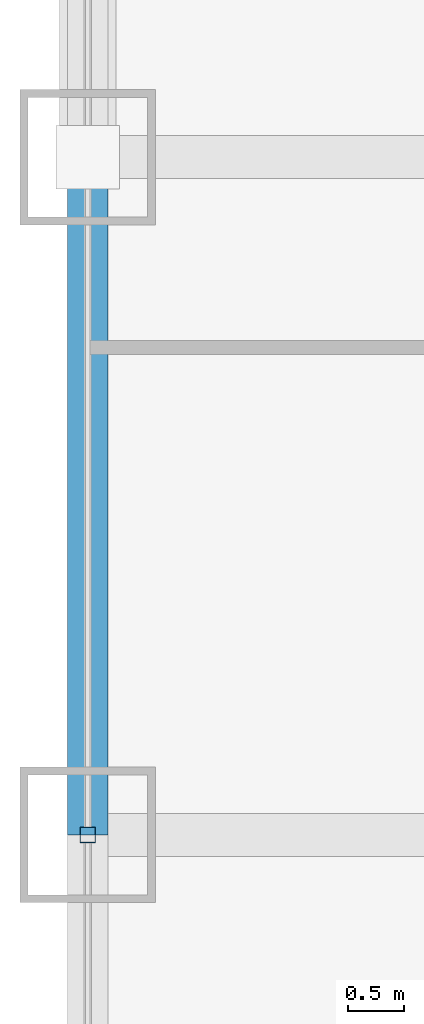
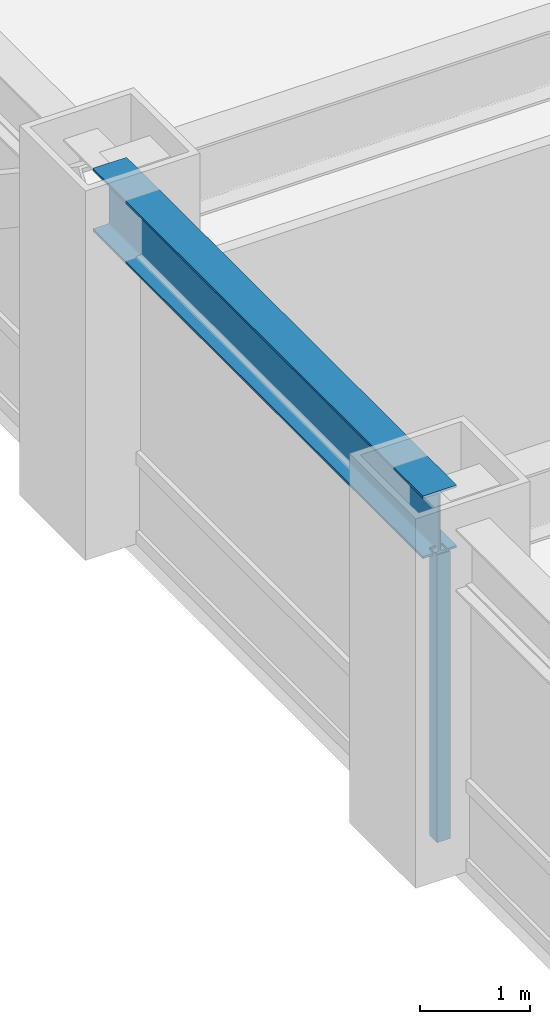
# One storey, part 8 of 28: 1 beam, 1 member, 1 element without a shape of its own.
"""IFC4 building model written with IfcOpenShell, lengths in metres."""

from ifc_helpers import new_model, si_unit, direction, frame, origin, origin_2d, place, context, subcontext, project, spatial, hollow_rectangle, i_section, extrude, source, transform, mapped, material, material_profile, profile_set, type_object, element, aggregate, save


model = new_model("IFC4")

# Units and contexts
model_context = context("Model", 3, precision=1e-05, world=origin(), true_north=direction((0.0, 1.0)))
body_context = subcontext(model_context, "Body", "Model", "MODEL_VIEW")
ifc_project = project(units=[si_unit("LENGTHUNIT", "METRE"), si_unit("AREAUNIT", "SQUARE_METRE"), si_unit("VOLUMEUNIT", "CUBIC_METRE"), si_unit("PLANEANGLEUNIT", "RADIAN"), si_unit("MASSUNIT", "GRAM", prefix="KILO")], contexts=[model_context])

# Site, building, storey
site_placement = place(None, origin())
site = spatial("IfcSite", under=ifc_project, at=site_placement, CompositionType="ELEMENT")
building_placement = place(site_placement, origin())
building = spatial("IfcBuilding", under=site, at=building_placement, Name="Khorayat Bourse Tower", CompositionType="ELEMENT")
storey_placement = place(building_placement, frame((0.0, 0.0, 116.0)))
storey = spatial("IfcBuildingStorey", under=building, at=storey_placement, Name="L26", CompositionType="ELEMENT", Elevation=116.0)

# Beam
ifc_material_1 = material(Name="Steel ASTM A992 Grade 50", Category="steel")
ifc_material_profile_1 = material_profile(ifc_material_1, i_section(OverallWidth=0.35498046875, OverallDepth=0.695068359375, WebThickness=0.015380859375, FlangeThickness=0.02490234375, FilletRadius=0.01806640625, at=origin_2d()), Name="W690X217")
ifc_profile_set_1 = profile_set([ifc_material_profile_1], Name="Steel ASTM A992 Grade 50")
beam_type = type_object("IfcBeamType", Name="BM-SPAN-690", PredefinedType="SPANDREL", material=ifc_profile_set_1)
shared_shape_1 = source(origin(), body_context, "Body", "SweptSolid", [
    extrude(i_section(OverallWidth=0.35498046875, OverallDepth=0.695068359375, WebThickness=0.015380859375, FlangeThickness=0.02490234375, FilletRadius=0.01806640625, at=origin_2d()), origin(), (0.0, 0.0, 1.0), 6.0),
])
beam_placement = place(storey_placement, frame((-32.0, 0.0, 3.492431640625), z_axis=(0.0, 1.0, 0.0), x_axis=(-1.0, 0.0, 0.0)))
element("IfcBeam", 1, at=beam_placement, inside=storey, type_object=beam_type, Name="L26 BM-SPAN-690 BM-L26-SPN-057", PredefinedType="SPANDREL", context=body_context, shape_type="MappedRepresentation", body=[
    mapped(shared_shape_1, transform((0.0, 0.0, 0.0), scale=1.0)),
])

# Curtain wall, member
ifc_material_2 = material(Name="Aluminium EN AW-6063 T6", Category="aluminium")
curtain_wall_type = type_object("IfcCurtainWallType", Name="CW-SYS-02", PredefinedType="NOTDEFINED", material=ifc_material_2)
curtain_wall_placement = place(storey_placement, origin())
curtain_wall = element("IfcCurtainWall", 2, at=curtain_wall_placement, inside=storey, type_object=curtain_wall_type, Name="L26 Curtain Wall CW-L26-W1", PredefinedType="NOTDEFINED")
ifc_material_profile_2 = material_profile(ifc_material_2, hollow_rectangle(XDim=0.139892578125, YDim=0.139892578125, WallThickness=0.006103515625, at=origin_2d()), Name="ALU 140x140x6")
ifc_profile_set_2 = profile_set([ifc_material_profile_2], Name="Aluminium EN AW-6063 T6")
member_type = type_object("IfcMemberType", Name="CWM-VERT-140", PredefinedType="MULLION", material=ifc_profile_set_2)
shared_shape_2 = source(origin(), body_context, "Body", "SweptSolid", [
    extrude(hollow_rectangle(XDim=0.139892578125, YDim=0.139892578125, WallThickness=0.006103515625, at=origin_2d()), origin(), (0.0, 0.0, 1.0), 3.18994140625),
])
member_placement = place(storey_placement, frame((-32.0, 0.0, 0.0), z_axis=(0.0, 0.0, 1.0), x_axis=(-1.0, 0.0, 0.0)))
member = element("IfcMember", 3, at=member_placement, type_object=member_type, Name="CW-L26-W1 Vertical Mullion 2", PredefinedType="MULLION", context=body_context, shape_type="MappedRepresentation", body=[
    mapped(shared_shape_2, transform((0.0, 0.0, 0.0), scale=1.0)),
])
aggregate(curtain_wall, [member])

save(model, "model.ifc")
